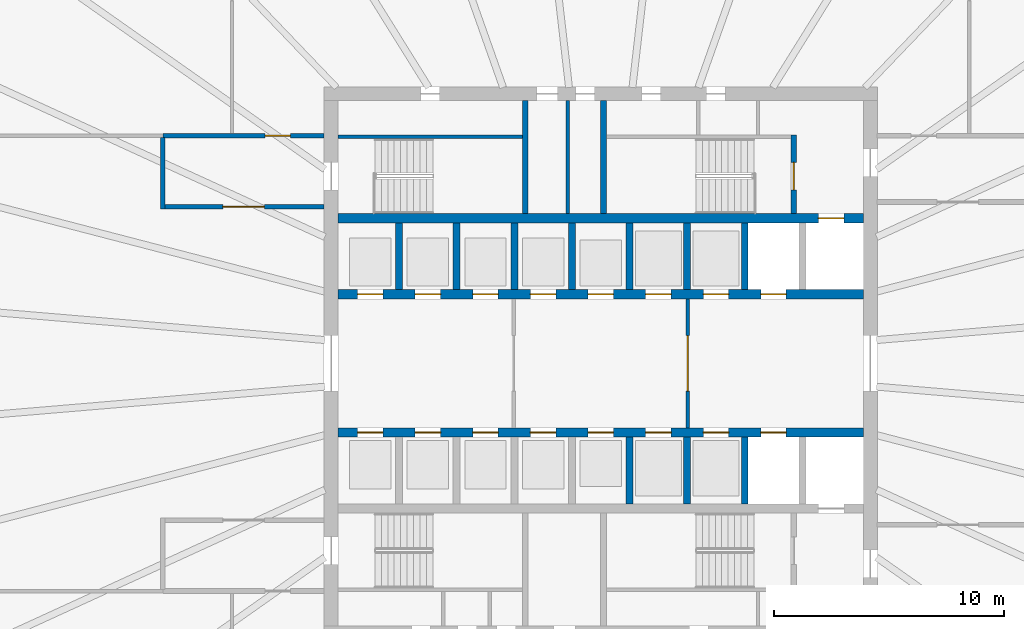
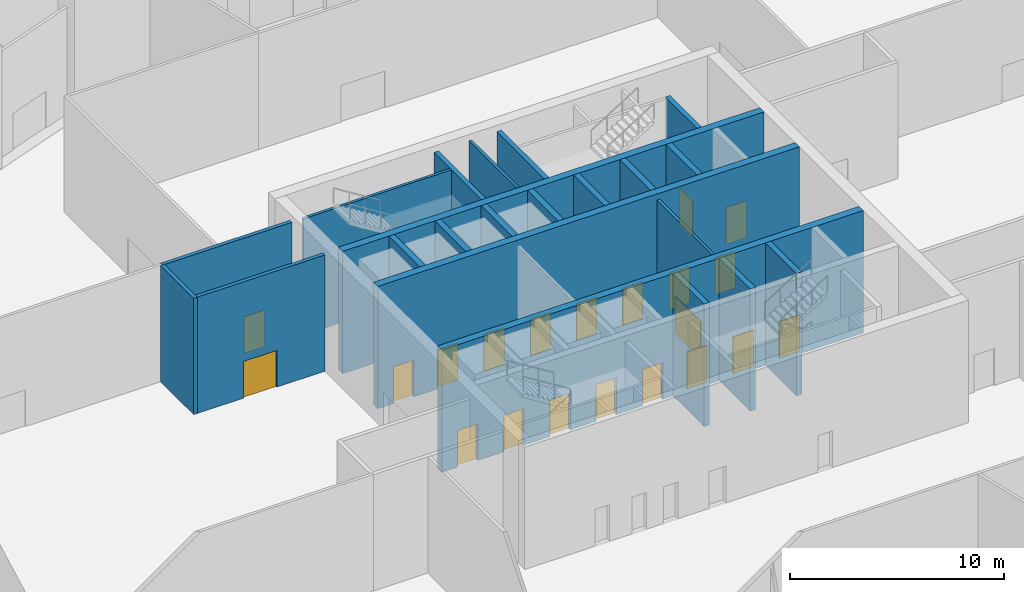
# One storey, part 22 of 33: 22 walls, 21 doors, 21 openings.
"""IFC4 building model written with IfcOpenShell, lengths in metres."""

from ifc_helpers import new_model, si_unit, direction, frame, frame_2d, origin, place, context, subcontext, project, spatial, rectangle, extrude, material, layer, layer_set, type_object, element, fill, save


model = new_model("IFC4")

# Units and contexts
model_context = context("Model", 3, precision=1e-05, world=origin(), true_north=direction((0.0, 1.0)))
body_context = subcontext(model_context, "Body", "Model", "MODEL_VIEW")
ifc_project = project(units=[si_unit("LENGTHUNIT", "METRE"), si_unit("AREAUNIT", "SQUARE_METRE"), si_unit("VOLUMEUNIT", "CUBIC_METRE"), si_unit("PLANEANGLEUNIT", "RADIAN"), si_unit("MASSUNIT", "GRAM", prefix="KILO")], contexts=[model_context])

# Site, building, storey
site_placement = place(None, origin())
site = spatial("IfcSite", under=ifc_project, at=site_placement, CompositionType="ELEMENT")
building_placement = place(site_placement, origin())
building = spatial("IfcBuilding", under=site, at=building_placement, Name="Halqa Exchange Tower", CompositionType="ELEMENT")
storey_placement = place(building_placement, origin())
storey = spatial("IfcBuildingStorey", under=building, at=storey_placement, Name="L00", CompositionType="ELEMENT", Elevation=0.0)

# Wall
ifc_material_1 = material(Name="Concrete C30/37", Category="concrete")
ifc_layer_1 = layer(ifc_material_1, 0.199951171875)
ifc_layer_set_1 = layer_set([ifc_layer_1], Name="Concrete C30/37")
wall_type_1 = type_object("IfcWallType", Name="Fire wall EI 120 200", PredefinedType="PARTITIONING", material=ifc_layer_set_1)
wall_1_placement = place(storey_placement, frame((-19.0, 6.699951171875, 0.0), z_axis=(0.0, 0.0, 1.0), x_axis=(0.0, 1.0, 0.0)))
element("IfcWall", 1, at=wall_1_placement, inside=storey, type_object=wall_type_1, Name="L00-PWL-036", PredefinedType="PARTITIONING", context=body_context, shape_type="SweptSolid", body=[
    extrude(rectangle(XDim=3.10546875, YDim=0.199951171875, at=frame_2d((1.552734375, 0.0))), origin(), (0.0, 0.0, 1.0), 6.64990234375),
])

# Wall, opening, door
wall_2_placement = place(storey_placement, frame((-19.0, 9.8798828125, 0.0), z_axis=(0.0, 0.0, 1.0), x_axis=(1.0, 0.0, 0.0)))
wall_2 = element("IfcWall", 2, at=wall_2_placement, inside=storey, type_object=wall_type_1, Name="L00-PWL-037", PredefinedType="PARTITIONING", context=body_context, shape_type="SweptSolid", body=[
    extrude(rectangle(XDim=7.0009765625, YDim=0.199951171875, at=frame_2d((3.50048828125, 0.0))), origin(), (0.0, 0.0, 1.0), 6.64990234375),
])
opening_1_placement = place(wall_2_placement, frame((4.43505859375, 0.0, 0.0)))
opening_1 = element("IfcOpeningElement", 3, at=opening_1_placement, cuts=wall_2, Name="Opening L00-15", PredefinedType="OPENING", context=body_context, shape_type="SweptSolid", body=[
    extrude(rectangle(XDim=1.10009765625, YDim=2.10009765625, at=frame_2d((0.550048828125, 1.050048828125))), frame((0.0, 0.112060546875, 0.0), z_axis=(0.0, -1.0, 0.0), x_axis=(1.0, 0.0, 0.0)), (0.0, 0.0, 1.0), 0.223876953125),
])
ifc_material_2 = material(Name="Steel fire door leaf", Category="steel")
door_type_1 = type_object("IfcDoorType", Name="Fire door FD120S 1100 x 2100", OperationType="SINGLE_SWING_LEFT", PredefinedType="DOOR", material=ifc_material_2)
door_1_placement = place(opening_1_placement, frame((1.10009765625, 0.0, 0.0), z_axis=(0.0, 0.0, 1.0), x_axis=(-1.0, 0.0, 0.0)))
door_1 = element("IfcDoor", 4, at=door_1_placement, inside=storey, type_object=door_type_1, Name="L00-IDR-015", OperationType="SINGLE_SWING_RIGHT", OverallHeight=2.10009765625, OverallWidth=1.10009765625, PredefinedType="DOOR", context=body_context, shape_type="SweptSolid", body=[
    extrude(rectangle(XDim=1.10009765625, YDim=2.10009765625, at=frame_2d((0.550048828125, 1.050048828125))), frame((0.0, 0.02490234375, 0.0), z_axis=(0.0, -1.0, 0.0), x_axis=(1.0, 0.0, 0.0)), (0.0, 0.0, 1.0), 0.050048828125),
])
fill(opening_1, door_1)

wall_3_placement = place(storey_placement, frame((-11.9990234375, 6.800048828125, 0.0), z_axis=(0.0, 0.0, 1.0), x_axis=(-1.0, 0.0, 0.0)))
wall_3 = element("IfcWall", 5, at=wall_3_placement, inside=storey, type_object=wall_type_1, Name="L00-PWL-048", PredefinedType="PARTITIONING", context=body_context, shape_type="SweptSolid", body=[
    extrude(rectangle(XDim=6.90185546875, YDim=0.199951171875, at=frame_2d((3.450927734375, 0.0))), origin(), (0.0, 0.0, 1.0), 6.64990234375),
])
opening_2_placement = place(wall_3_placement, frame((2.60107421875, 0.0, 0.0)))
opening_2 = element("IfcOpeningElement", 6, at=opening_2_placement, cuts=wall_3, Name="Opening L00-01", PredefinedType="OPENING", context=body_context, shape_type="SweptSolid", body=[
    extrude(rectangle(XDim=1.800048828125, YDim=2.10009765625, at=frame_2d((0.89990234375, 1.050048828125))), frame((0.0, 0.112060546875, 0.0), z_axis=(0.0, -1.0, 0.0), x_axis=(1.0, 0.0, 0.0)), (0.0, 0.0, 1.0), 0.223876953125),
])
door_type_2 = type_object("IfcDoorType", Name="Fire door FD120S double 1800 x 2100", OperationType="DOUBLE_DOOR_SINGLE_SWING", PredefinedType="DOOR", material=ifc_material_2)
door_2_placement = place(opening_2_placement, frame((1.800048828125, 0.0, 0.0), z_axis=(0.0, 0.0, 1.0), x_axis=(-1.0, 0.0, 0.0)))
door_2 = element("IfcDoor", 7, at=door_2_placement, inside=storey, type_object=door_type_2, Name="L00-IDR-001", OperationType="DOUBLE_DOOR_SINGLE_SWING", OverallHeight=2.10009765625, OverallWidth=1.800048828125, PredefinedType="DOOR", context=body_context, shape_type="SweptSolid", body=[
    extrude(rectangle(XDim=1.800048828125, YDim=2.10009765625, at=frame_2d((0.89990234375, 1.050048828125))), frame((0.0, 0.02490234375, 0.0), z_axis=(0.0, -1.0, 0.0), x_axis=(1.0, 0.0, 0.0)), (0.0, 0.0, 1.0), 0.050048828125),
])
fill(opening_2, door_2)

# Wall
ifc_material_3 = material(Name="Gypsum board")
ifc_layer_2 = layer(ifc_material_3, 0.14990234375)
ifc_layer_set_2 = layer_set([ifc_layer_2], Name="Gypsum board")
wall_type_2 = type_object("IfcWallType", Name="Penthouse riser wall 150 gypsum", PredefinedType="PARTITIONING", material=ifc_layer_set_2)
wall_4_placement = place(storey_placement, frame((-1.425048828125, 6.5, 0.0), z_axis=(0.0, 0.0, 1.0), x_axis=(0.0, 1.0, 0.0)))
element("IfcWall", 8, at=wall_4_placement, inside=storey, type_object=wall_type_2, Name="Partition W1.425 N", PredefinedType="PARTITIONING", context=body_context, shape_type="SweptSolid", body=[
    extrude(rectangle(XDim=4.89990234375, YDim=0.14990234375, at=frame_2d((2.449951171875, 0.0))), origin(), (0.0, 0.0, 1.0), 6.64990234375),
])

# Wall, opening, door
wall_5_placement = place(storey_placement, frame((3.77490234375, -2.800048828125, 0.0), z_axis=(0.0, 0.0, 1.0), x_axis=(0.0, 1.0, 0.0)))
wall_5 = element("IfcWall", 9, at=wall_5_placement, inside=storey, type_object=wall_type_2, Name="Observation lobby partition east", PredefinedType="PARTITIONING", context=body_context, shape_type="SweptSolid", body=[
    extrude(rectangle(XDim=5.60009765625, YDim=0.14990234375, at=frame_2d((2.800048828125, 0.0))), origin(), (0.0, 0.0, 1.0), 6.64990234375),
])
opening_3_placement = place(wall_5_placement, frame((1.60009765625, 0.0, 0.0)))
opening_3 = element("IfcOpeningElement", 10, at=opening_3_placement, cuts=wall_5, Name="Opening L00-C26", PredefinedType="OPENING", context=body_context, shape_type="SweptSolid", body=[
    extrude(rectangle(XDim=2.39990234375, YDim=2.10009765625, at=frame_2d((1.199951171875, 1.050048828125))), frame((0.0, 0.0869140625, 0.0), z_axis=(0.0, -1.0, 0.0), x_axis=(1.0, 0.0, 0.0)), (0.0, 0.0, 1.0), 0.173828125),
])
door_type_3 = type_object("IfcDoorType", Name="Lobby double door FD60 2400 x 2100", OperationType="DOUBLE_DOOR_SINGLE_SWING", PredefinedType="DOOR", material=ifc_material_2)
door_3_placement = place(opening_3_placement, origin())
door_3 = element("IfcDoor", 11, at=door_3_placement, inside=storey, type_object=door_type_3, Name="Lift lobby double door", OperationType="DOUBLE_DOOR_SINGLE_SWING", OverallHeight=2.10009765625, OverallWidth=2.39990234375, PredefinedType="DOOR", context=body_context, shape_type="SweptSolid", body=[
    extrude(rectangle(XDim=2.39990234375, YDim=2.10009765625, at=frame_2d((1.199951171875, 1.050048828125))), frame((0.0, 0.02490234375, 0.0), z_axis=(0.0, -1.0, 0.0), x_axis=(1.0, 0.0, 0.0)), (0.0, 0.0, 1.0), 0.050048828125),
])
fill(opening_3, door_3)

# Walls
ifc_material_4 = material(Name="Concrete C60/75", Category="concrete")
ifc_layer_3 = layer(ifc_material_4, 0.300048828125)
ifc_layer_set_3 = layer_set([ifc_layer_3], Name="Concrete C60/75")
wall_type_3 = type_object("IfcWallType", Name="RC core wall 300", PredefinedType="SHEAR", material=ifc_layer_set_3)
for number, where, z_axis, x_axis, name in (
    (12, (-8.75, 3.199951171875, 0.0), (0.0, 0.0, 1.0), (0.0, 1.0, 0.0), "Shaft divider N1"),
    (13, (-6.25, 3.199951171875, 0.0), (0.0, 0.0, 1.0), (0.0, 1.0, 0.0), "Shaft divider N2"),
    (14, (-3.75, 3.199951171875, 0.0), (0.0, 0.0, 1.0), (0.0, 1.0, 0.0), "Shaft divider N3"),
    (15, (-1.25, 3.199951171875, 0.0), (0.0, 0.0, 1.0), (0.0, 1.0, 0.0), "Shaft divider N4"),
    (16, (1.25, 3.199951171875, 0.0), (0.0, 0.0, 1.0), (0.0, 1.0, 0.0), "Shaft divider N5"),
    (17, (3.75, 3.199951171875, 0.0), (0.0, 0.0, 1.0), (0.0, 1.0, 0.0), "Shaft divider N6"),
    (18, (6.25, 3.199951171875, 0.0), (0.0, 0.0, 1.0), (0.0, 1.0, 0.0), "Shaft divider N7"),
    (19, (1.25, -6.10009765625, 0.0), (0.0, 0.0, 1.0), (0.0, 1.0, 0.0), "Shaft divider S5"),
    (20, (3.75, -6.10009765625, 0.0), (0.0, 0.0, 1.0), (0.0, 1.0, 0.0), "Shaft divider S6"),
    (21, (6.25, -6.10009765625, 0.0), (0.0, 0.0, 1.0), (0.0, 1.0, 0.0), "Shaft divider S7"),
):
    element("IfcWall", number, at=place(storey_placement, frame(where, z_axis=z_axis, x_axis=x_axis)), inside=storey, type_object=wall_type_3, Name=name, PredefinedType="SHEAR", context=body_context, shape_type="SweptSolid", body=[
        extrude(rectangle(XDim=2.900146484375, YDim=0.300048828125, at=frame_2d((1.4501953125, 0.0))), origin(), (0.0, 0.0, 1.0), 7.0),
    ])

# Wall, openings, doors
ifc_material_5 = material(Name="Concrete C80/95", Category="concrete")
ifc_layer_4 = layer(ifc_material_5, 0.39990234375)
ifc_layer_set_4 = layer_set([ifc_layer_4], Name="Concrete C80/95")
wall_type_4 = type_object("IfcWallType", Name="RC core wall 400 C80/95", PredefinedType="SHEAR", material=ifc_layer_set_4)
wall_6_placement = place(storey_placement, frame((-11.39990234375, 3.0, 0.0), z_axis=(0.0, 0.0, 1.0), x_axis=(1.0, 0.0, 0.0)))
wall_6 = element("IfcWall", 22, at=wall_6_placement, inside=storey, type_object=wall_type_4, Name="Lift row front wall N", PredefinedType="SHEAR", context=body_context, shape_type="SweptSolid", body=[
    extrude(rectangle(XDim=22.7998046875, YDim=0.39990234375, at=frame_2d((11.39990234375, 0.0))), origin(), (0.0, 0.0, 1.0), 7.0),
])
opening_4_placement = place(wall_6_placement, frame((0.85009765625, 0.0, 0.0)))
opening_4 = element("IfcOpeningElement", 23, at=opening_4_placement, cuts=wall_6, Name="Opening LD-LR1-L00", PredefinedType="OPENING", context=body_context, shape_type="SweptSolid", body=[
    extrude(rectangle(XDim=1.10009765625, YDim=2.10009765625, at=frame_2d((0.550048828125, 1.050048828125))), frame((0.0, 0.2119140625, 0.0), z_axis=(0.0, -1.0, 0.0), x_axis=(1.0, 0.0, 0.0)), (0.0, 0.0, 1.0), 0.423828125),
])
opening_5_placement = place(wall_6_placement, frame((3.35009765625, 0.0, 0.0)))
opening_5 = element("IfcOpeningElement", 24, at=opening_5_placement, cuts=wall_6, Name="Opening LD-LR2-L00", PredefinedType="OPENING", context=body_context, shape_type="SweptSolid", body=[
    extrude(rectangle(XDim=1.10009765625, YDim=2.10009765625, at=frame_2d((0.550048828125, 1.050048828125))), frame((0.0, 0.2119140625, 0.0), z_axis=(0.0, -1.0, 0.0), x_axis=(1.0, 0.0, 0.0)), (0.0, 0.0, 1.0), 0.423828125),
])
opening_6_placement = place(wall_6_placement, frame((5.85009765625, 0.0, 0.0)))
opening_6 = element("IfcOpeningElement", 25, at=opening_6_placement, cuts=wall_6, Name="Opening LD-LR3-L00", PredefinedType="OPENING", context=body_context, shape_type="SweptSolid", body=[
    extrude(rectangle(XDim=1.10009765625, YDim=2.10009765625, at=frame_2d((0.550048828125, 1.050048828125))), frame((0.0, 0.2119140625, 0.0), z_axis=(0.0, -1.0, 0.0), x_axis=(1.0, 0.0, 0.0)), (0.0, 0.0, 1.0), 0.423828125),
])
opening_7_placement = place(wall_6_placement, frame((8.35009765625, 0.0, 0.0)))
opening_7 = element("IfcOpeningElement", 26, at=opening_7_placement, cuts=wall_6, Name="Opening LD-LR4-L00", PredefinedType="OPENING", context=body_context, shape_type="SweptSolid", body=[
    extrude(rectangle(XDim=1.10009765625, YDim=2.10009765625, at=frame_2d((0.550048828125, 1.050048828125))), frame((0.0, 0.2119140625, 0.0), z_axis=(0.0, -1.0, 0.0), x_axis=(1.0, 0.0, 0.0)), (0.0, 0.0, 1.0), 0.423828125),
])
opening_8_placement = place(wall_6_placement, frame((10.85009765625, 0.0, 0.0)))
opening_8 = element("IfcOpeningElement", 27, at=opening_8_placement, cuts=wall_6, Name="Opening LD-OB1-L00", PredefinedType="OPENING", context=body_context, shape_type="SweptSolid", body=[
    extrude(rectangle(XDim=1.10009765625, YDim=2.10009765625, at=frame_2d((0.550048828125, 1.050048828125))), frame((0.0, 0.2119140625, 0.0), z_axis=(0.0, -1.0, 0.0), x_axis=(1.0, 0.0, 0.0)), (0.0, 0.0, 1.0), 0.423828125),
])
opening_9_placement = place(wall_6_placement, frame((13.35009765625, 0.0, 0.0)))
opening_9 = element("IfcOpeningElement", 28, at=opening_9_placement, cuts=wall_6, Name="Opening LD-SH1-L00", PredefinedType="OPENING", context=body_context, shape_type="SweptSolid", body=[
    extrude(rectangle(XDim=1.10009765625, YDim=2.10009765625, at=frame_2d((0.550048828125, 1.050048828125))), frame((0.0, 0.2119140625, 0.0), z_axis=(0.0, -1.0, 0.0), x_axis=(1.0, 0.0, 0.0)), (0.0, 0.0, 1.0), 0.423828125),
])
opening_10_placement = place(wall_6_placement, frame((15.85009765625, 0.0, 0.0)))
opening_10 = element("IfcOpeningElement", 29, at=opening_10_placement, cuts=wall_6, Name="Opening LD-SH2-L00", PredefinedType="OPENING", context=body_context, shape_type="SweptSolid", body=[
    extrude(rectangle(XDim=1.10009765625, YDim=2.10009765625, at=frame_2d((0.550048828125, 1.050048828125))), frame((0.0, 0.2119140625, 0.0), z_axis=(0.0, -1.0, 0.0), x_axis=(1.0, 0.0, 0.0)), (0.0, 0.0, 1.0), 0.423828125),
])
opening_11_placement = place(wall_6_placement, frame((18.35009765625, 0.0, 0.0)))
opening_11 = element("IfcOpeningElement", 30, at=opening_11_placement, cuts=wall_6, Name="Opening LD-SV1-L00", PredefinedType="OPENING", context=body_context, shape_type="SweptSolid", body=[
    extrude(rectangle(XDim=1.10009765625, YDim=2.10009765625, at=frame_2d((0.550048828125, 1.050048828125))), frame((0.0, 0.2119140625, 0.0), z_axis=(0.0, -1.0, 0.0), x_axis=(1.0, 0.0, 0.0)), (0.0, 0.0, 1.0), 0.423828125),
])
ifc_material_6 = material(Name="Stainless steel", Category="steel")
door_type_4 = type_object("IfcDoorType", Name="Lift landing door 1100 x 2100", OperationType="SLIDING_TO_LEFT", PredefinedType="DOOR", material=ifc_material_6)
door_4_placement = place(opening_4_placement, origin())
door_4 = element("IfcDoor", 31, at=door_4_placement, inside=storey, type_object=door_type_4, Name="Lift landing door LR1", OperationType="SLIDING_TO_LEFT", OverallHeight=2.10009765625, OverallWidth=1.10009765625, PredefinedType="DOOR", context=body_context, shape_type="SweptSolid", body=[
    extrude(rectangle(XDim=1.10009765625, YDim=2.10009765625, at=frame_2d((0.550048828125, 1.050048828125))), frame((0.0, 0.02490234375, 0.0), z_axis=(0.0, -1.0, 0.0), x_axis=(1.0, 0.0, 0.0)), (0.0, 0.0, 1.0), 0.050048828125),
])
fill(opening_4, door_4)
door_5_placement = place(opening_5_placement, origin())
door_5 = element("IfcDoor", 32, at=door_5_placement, inside=storey, type_object=door_type_4, Name="Lift landing door LR2", OperationType="SLIDING_TO_LEFT", OverallHeight=2.10009765625, OverallWidth=1.10009765625, PredefinedType="DOOR", context=body_context, shape_type="SweptSolid", body=[
    extrude(rectangle(XDim=1.10009765625, YDim=2.10009765625, at=frame_2d((0.550048828125, 1.050048828125))), frame((0.0, 0.02490234375, 0.0), z_axis=(0.0, -1.0, 0.0), x_axis=(1.0, 0.0, 0.0)), (0.0, 0.0, 1.0), 0.050048828125),
])
fill(opening_5, door_5)
door_6_placement = place(opening_6_placement, origin())
door_6 = element("IfcDoor", 33, at=door_6_placement, inside=storey, type_object=door_type_4, Name="Lift landing door LR3", OperationType="SLIDING_TO_LEFT", OverallHeight=2.10009765625, OverallWidth=1.10009765625, PredefinedType="DOOR", context=body_context, shape_type="SweptSolid", body=[
    extrude(rectangle(XDim=1.10009765625, YDim=2.10009765625, at=frame_2d((0.550048828125, 1.050048828125))), frame((0.0, 0.02490234375, 0.0), z_axis=(0.0, -1.0, 0.0), x_axis=(1.0, 0.0, 0.0)), (0.0, 0.0, 1.0), 0.050048828125),
])
fill(opening_6, door_6)
door_7_placement = place(opening_7_placement, origin())
door_7 = element("IfcDoor", 34, at=door_7_placement, inside=storey, type_object=door_type_4, Name="Lift landing door LR4", OperationType="SLIDING_TO_LEFT", OverallHeight=2.10009765625, OverallWidth=1.10009765625, PredefinedType="DOOR", context=body_context, shape_type="SweptSolid", body=[
    extrude(rectangle(XDim=1.10009765625, YDim=2.10009765625, at=frame_2d((0.550048828125, 1.050048828125))), frame((0.0, 0.02490234375, 0.0), z_axis=(0.0, -1.0, 0.0), x_axis=(1.0, 0.0, 0.0)), (0.0, 0.0, 1.0), 0.050048828125),
])
fill(opening_7, door_7)
door_8_placement = place(opening_8_placement, origin())
door_8 = element("IfcDoor", 35, at=door_8_placement, inside=storey, type_object=door_type_4, Name="Lift landing door OB1", OperationType="SLIDING_TO_LEFT", OverallHeight=2.10009765625, OverallWidth=1.10009765625, PredefinedType="DOOR", context=body_context, shape_type="SweptSolid", body=[
    extrude(rectangle(XDim=1.10009765625, YDim=2.10009765625, at=frame_2d((0.550048828125, 1.050048828125))), frame((0.0, 0.02490234375, 0.0), z_axis=(0.0, -1.0, 0.0), x_axis=(1.0, 0.0, 0.0)), (0.0, 0.0, 1.0), 0.050048828125),
])
fill(opening_8, door_8)
door_9_placement = place(opening_9_placement, origin())
door_9 = element("IfcDoor", 36, at=door_9_placement, inside=storey, type_object=door_type_4, Name="Lift landing door SH1", OperationType="SLIDING_TO_LEFT", OverallHeight=2.10009765625, OverallWidth=1.10009765625, PredefinedType="DOOR", context=body_context, shape_type="SweptSolid", body=[
    extrude(rectangle(XDim=1.10009765625, YDim=2.10009765625, at=frame_2d((0.550048828125, 1.050048828125))), frame((0.0, 0.02490234375, 0.0), z_axis=(0.0, -1.0, 0.0), x_axis=(1.0, 0.0, 0.0)), (0.0, 0.0, 1.0), 0.050048828125),
])
fill(opening_9, door_9)
door_10_placement = place(opening_10_placement, origin())
door_10 = element("IfcDoor", 37, at=door_10_placement, inside=storey, type_object=door_type_4, Name="Lift landing door SH2", OperationType="SLIDING_TO_LEFT", OverallHeight=2.10009765625, OverallWidth=1.10009765625, PredefinedType="DOOR", context=body_context, shape_type="SweptSolid", body=[
    extrude(rectangle(XDim=1.10009765625, YDim=2.10009765625, at=frame_2d((0.550048828125, 1.050048828125))), frame((0.0, 0.02490234375, 0.0), z_axis=(0.0, -1.0, 0.0), x_axis=(1.0, 0.0, 0.0)), (0.0, 0.0, 1.0), 0.050048828125),
])
fill(opening_10, door_10)
door_11_placement = place(opening_11_placement, origin())
door_11 = element("IfcDoor", 38, at=door_11_placement, inside=storey, type_object=door_type_4, Name="Lift landing door SV1", OperationType="SLIDING_TO_LEFT", OverallHeight=2.10009765625, OverallWidth=1.10009765625, PredefinedType="DOOR", context=body_context, shape_type="SweptSolid", body=[
    extrude(rectangle(XDim=1.10009765625, YDim=2.10009765625, at=frame_2d((0.550048828125, 1.050048828125))), frame((0.0, 0.02490234375, 0.0), z_axis=(0.0, -1.0, 0.0), x_axis=(1.0, 0.0, 0.0)), (0.0, 0.0, 1.0), 0.050048828125),
])
fill(opening_11, door_11)

# Wall, opening, door
wall_7_placement = place(storey_placement, frame((-11.39990234375, 6.300048828125, 0.0), z_axis=(0.0, 0.0, 1.0), x_axis=(1.0, 0.0, 0.0)))
wall_7 = element("IfcWall", 39, at=wall_7_placement, inside=storey, type_object=wall_type_4, Name="Lift row back wall N", PredefinedType="SHEAR", context=body_context, shape_type="SweptSolid", body=[
    extrude(rectangle(XDim=22.7998046875, YDim=0.39990234375, at=frame_2d((11.39990234375, 0.0))), origin(), (0.0, 0.0, 1.0), 7.0),
])
opening_12_placement = place(wall_7_placement, frame((20.85009765625, 0.0, 0.0)))
opening_12 = element("IfcOpeningElement", 40, at=opening_12_placement, cuts=wall_7, Name="Opening LD-FF1-L00", PredefinedType="OPENING", context=body_context, shape_type="SweptSolid", body=[
    extrude(rectangle(XDim=1.10009765625, YDim=2.10009765625, at=frame_2d((0.550048828125, 1.050048828125))), frame((0.0, 0.2119140625, 0.0), z_axis=(0.0, -1.0, 0.0), x_axis=(1.0, 0.0, 0.0)), (0.0, 0.0, 1.0), 0.423828125),
])
door_12_placement = place(opening_12_placement, origin())
door_12 = element("IfcDoor", 41, at=door_12_placement, inside=storey, type_object=door_type_4, Name="Lift landing door FF1", OperationType="SLIDING_TO_LEFT", OverallHeight=2.10009765625, OverallWidth=1.10009765625, PredefinedType="DOOR", context=body_context, shape_type="SweptSolid", body=[
    extrude(rectangle(XDim=1.10009765625, YDim=2.10009765625, at=frame_2d((0.550048828125, 1.050048828125))), frame((0.0, 0.02490234375, 0.0), z_axis=(0.0, -1.0, 0.0), x_axis=(1.0, 0.0, 0.0)), (0.0, 0.0, 1.0), 0.050048828125),
])
fill(opening_12, door_12)

# Wall, openings, doors
wall_8_placement = place(storey_placement, frame((-11.39990234375, -3.0, 0.0), z_axis=(0.0, 0.0, 1.0), x_axis=(1.0, 0.0, 0.0)))
wall_8 = element("IfcWall", 42, at=wall_8_placement, inside=storey, type_object=wall_type_4, Name="Lift row front wall S", PredefinedType="SHEAR", context=body_context, shape_type="SweptSolid", body=[
    extrude(rectangle(XDim=22.7998046875, YDim=0.39990234375, at=frame_2d((11.39990234375, 0.0))), origin(), (0.0, 0.0, 1.0), 7.0),
])
opening_13_placement = place(wall_8_placement, frame((0.85009765625, 0.0, 0.0)))
opening_13 = element("IfcOpeningElement", 43, at=opening_13_placement, cuts=wall_8, Name="Opening LD-LR5-L00", PredefinedType="OPENING", context=body_context, shape_type="SweptSolid", body=[
    extrude(rectangle(XDim=1.10009765625, YDim=2.10009765625, at=frame_2d((0.550048828125, 1.050048828125))), frame((0.0, 0.2119140625, 0.0), z_axis=(0.0, -1.0, 0.0), x_axis=(1.0, 0.0, 0.0)), (0.0, 0.0, 1.0), 0.423828125),
])
opening_14_placement = place(wall_8_placement, frame((3.35009765625, 0.0, 0.0)))
opening_14 = element("IfcOpeningElement", 44, at=opening_14_placement, cuts=wall_8, Name="Opening LD-LR6-L00", PredefinedType="OPENING", context=body_context, shape_type="SweptSolid", body=[
    extrude(rectangle(XDim=1.10009765625, YDim=2.10009765625, at=frame_2d((0.550048828125, 1.050048828125))), frame((0.0, 0.2119140625, 0.0), z_axis=(0.0, -1.0, 0.0), x_axis=(1.0, 0.0, 0.0)), (0.0, 0.0, 1.0), 0.423828125),
])
opening_15_placement = place(wall_8_placement, frame((5.85009765625, 0.0, 0.0)))
opening_15 = element("IfcOpeningElement", 45, at=opening_15_placement, cuts=wall_8, Name="Opening LD-LR7-L00", PredefinedType="OPENING", context=body_context, shape_type="SweptSolid", body=[
    extrude(rectangle(XDim=1.10009765625, YDim=2.10009765625, at=frame_2d((0.550048828125, 1.050048828125))), frame((0.0, 0.2119140625, 0.0), z_axis=(0.0, -1.0, 0.0), x_axis=(1.0, 0.0, 0.0)), (0.0, 0.0, 1.0), 0.423828125),
])
opening_16_placement = place(wall_8_placement, frame((8.35009765625, 0.0, 0.0)))
opening_16 = element("IfcOpeningElement", 46, at=opening_16_placement, cuts=wall_8, Name="Opening LD-LR8-L00", PredefinedType="OPENING", context=body_context, shape_type="SweptSolid", body=[
    extrude(rectangle(XDim=1.10009765625, YDim=2.10009765625, at=frame_2d((0.550048828125, 1.050048828125))), frame((0.0, 0.2119140625, 0.0), z_axis=(0.0, -1.0, 0.0), x_axis=(1.0, 0.0, 0.0)), (0.0, 0.0, 1.0), 0.423828125),
])
opening_17_placement = place(wall_8_placement, frame((10.85009765625, 0.0, 0.0)))
opening_17 = element("IfcOpeningElement", 47, at=opening_17_placement, cuts=wall_8, Name="Opening LD-OB2-L00", PredefinedType="OPENING", context=body_context, shape_type="SweptSolid", body=[
    extrude(rectangle(XDim=1.10009765625, YDim=2.10009765625, at=frame_2d((0.550048828125, 1.050048828125))), frame((0.0, 0.2119140625, 0.0), z_axis=(0.0, -1.0, 0.0), x_axis=(1.0, 0.0, 0.0)), (0.0, 0.0, 1.0), 0.423828125),
])
opening_18_placement = place(wall_8_placement, frame((13.35009765625, 0.0, 0.0)))
opening_18 = element("IfcOpeningElement", 48, at=opening_18_placement, cuts=wall_8, Name="Opening LD-SH3-L00", PredefinedType="OPENING", context=body_context, shape_type="SweptSolid", body=[
    extrude(rectangle(XDim=1.10009765625, YDim=2.10009765625, at=frame_2d((0.550048828125, 1.050048828125))), frame((0.0, 0.2119140625, 0.0), z_axis=(0.0, -1.0, 0.0), x_axis=(1.0, 0.0, 0.0)), (0.0, 0.0, 1.0), 0.423828125),
])
opening_19_placement = place(wall_8_placement, frame((15.85009765625, 0.0, 0.0)))
opening_19 = element("IfcOpeningElement", 49, at=opening_19_placement, cuts=wall_8, Name="Opening LD-SH4-L00", PredefinedType="OPENING", context=body_context, shape_type="SweptSolid", body=[
    extrude(rectangle(XDim=1.10009765625, YDim=2.10009765625, at=frame_2d((0.550048828125, 1.050048828125))), frame((0.0, 0.2119140625, 0.0), z_axis=(0.0, -1.0, 0.0), x_axis=(1.0, 0.0, 0.0)), (0.0, 0.0, 1.0), 0.423828125),
])
opening_20_placement = place(wall_8_placement, frame((18.35009765625, 0.0, 0.0)))
opening_20 = element("IfcOpeningElement", 50, at=opening_20_placement, cuts=wall_8, Name="Opening LD-SV2-L00", PredefinedType="OPENING", context=body_context, shape_type="SweptSolid", body=[
    extrude(rectangle(XDim=1.10009765625, YDim=2.10009765625, at=frame_2d((0.550048828125, 1.050048828125))), frame((0.0, 0.2119140625, 0.0), z_axis=(0.0, -1.0, 0.0), x_axis=(1.0, 0.0, 0.0)), (0.0, 0.0, 1.0), 0.423828125),
])
door_13_placement = place(opening_13_placement, origin())
door_13 = element("IfcDoor", 51, at=door_13_placement, inside=storey, type_object=door_type_4, Name="Lift landing door LR5", OperationType="SLIDING_TO_LEFT", OverallHeight=2.10009765625, OverallWidth=1.10009765625, PredefinedType="DOOR", context=body_context, shape_type="SweptSolid", body=[
    extrude(rectangle(XDim=1.10009765625, YDim=2.10009765625, at=frame_2d((0.550048828125, 1.050048828125))), frame((0.0, 0.02490234375, 0.0), z_axis=(0.0, -1.0, 0.0), x_axis=(1.0, 0.0, 0.0)), (0.0, 0.0, 1.0), 0.050048828125),
])
fill(opening_13, door_13)
door_14_placement = place(opening_14_placement, origin())
door_14 = element("IfcDoor", 52, at=door_14_placement, inside=storey, type_object=door_type_4, Name="Lift landing door LR6", OperationType="SLIDING_TO_LEFT", OverallHeight=2.10009765625, OverallWidth=1.10009765625, PredefinedType="DOOR", context=body_context, shape_type="SweptSolid", body=[
    extrude(rectangle(XDim=1.10009765625, YDim=2.10009765625, at=frame_2d((0.550048828125, 1.050048828125))), frame((0.0, 0.02490234375, 0.0), z_axis=(0.0, -1.0, 0.0), x_axis=(1.0, 0.0, 0.0)), (0.0, 0.0, 1.0), 0.050048828125),
])
fill(opening_14, door_14)
door_15_placement = place(opening_15_placement, origin())
door_15 = element("IfcDoor", 53, at=door_15_placement, inside=storey, type_object=door_type_4, Name="Lift landing door LR7", OperationType="SLIDING_TO_LEFT", OverallHeight=2.10009765625, OverallWidth=1.10009765625, PredefinedType="DOOR", context=body_context, shape_type="SweptSolid", body=[
    extrude(rectangle(XDim=1.10009765625, YDim=2.10009765625, at=frame_2d((0.550048828125, 1.050048828125))), frame((0.0, 0.02490234375, 0.0), z_axis=(0.0, -1.0, 0.0), x_axis=(1.0, 0.0, 0.0)), (0.0, 0.0, 1.0), 0.050048828125),
])
fill(opening_15, door_15)
door_16_placement = place(opening_16_placement, origin())
door_16 = element("IfcDoor", 54, at=door_16_placement, inside=storey, type_object=door_type_4, Name="Lift landing door LR8", OperationType="SLIDING_TO_LEFT", OverallHeight=2.10009765625, OverallWidth=1.10009765625, PredefinedType="DOOR", context=body_context, shape_type="SweptSolid", body=[
    extrude(rectangle(XDim=1.10009765625, YDim=2.10009765625, at=frame_2d((0.550048828125, 1.050048828125))), frame((0.0, 0.02490234375, 0.0), z_axis=(0.0, -1.0, 0.0), x_axis=(1.0, 0.0, 0.0)), (0.0, 0.0, 1.0), 0.050048828125),
])
fill(opening_16, door_16)
door_17_placement = place(opening_17_placement, origin())
door_17 = element("IfcDoor", 55, at=door_17_placement, inside=storey, type_object=door_type_4, Name="Lift landing door OB2", OperationType="SLIDING_TO_LEFT", OverallHeight=2.10009765625, OverallWidth=1.10009765625, PredefinedType="DOOR", context=body_context, shape_type="SweptSolid", body=[
    extrude(rectangle(XDim=1.10009765625, YDim=2.10009765625, at=frame_2d((0.550048828125, 1.050048828125))), frame((0.0, 0.02490234375, 0.0), z_axis=(0.0, -1.0, 0.0), x_axis=(1.0, 0.0, 0.0)), (0.0, 0.0, 1.0), 0.050048828125),
])
fill(opening_17, door_17)
door_18_placement = place(opening_18_placement, origin())
door_18 = element("IfcDoor", 56, at=door_18_placement, inside=storey, type_object=door_type_4, Name="Lift landing door SH3", OperationType="SLIDING_TO_LEFT", OverallHeight=2.10009765625, OverallWidth=1.10009765625, PredefinedType="DOOR", context=body_context, shape_type="SweptSolid", body=[
    extrude(rectangle(XDim=1.10009765625, YDim=2.10009765625, at=frame_2d((0.550048828125, 1.050048828125))), frame((0.0, 0.02490234375, 0.0), z_axis=(0.0, -1.0, 0.0), x_axis=(1.0, 0.0, 0.0)), (0.0, 0.0, 1.0), 0.050048828125),
])
fill(opening_18, door_18)
door_19_placement = place(opening_19_placement, origin())
door_19 = element("IfcDoor", 57, at=door_19_placement, inside=storey, type_object=door_type_4, Name="Lift landing door SH4", OperationType="SLIDING_TO_LEFT", OverallHeight=2.10009765625, OverallWidth=1.10009765625, PredefinedType="DOOR", context=body_context, shape_type="SweptSolid", body=[
    extrude(rectangle(XDim=1.10009765625, YDim=2.10009765625, at=frame_2d((0.550048828125, 1.050048828125))), frame((0.0, 0.02490234375, 0.0), z_axis=(0.0, -1.0, 0.0), x_axis=(1.0, 0.0, 0.0)), (0.0, 0.0, 1.0), 0.050048828125),
])
fill(opening_19, door_19)
door_20_placement = place(opening_20_placement, origin())
door_20 = element("IfcDoor", 58, at=door_20_placement, inside=storey, type_object=door_type_4, Name="Lift landing door SV2", OperationType="SLIDING_TO_LEFT", OverallHeight=2.10009765625, OverallWidth=1.10009765625, PredefinedType="DOOR", context=body_context, shape_type="SweptSolid", body=[
    extrude(rectangle(XDim=1.10009765625, YDim=2.10009765625, at=frame_2d((0.550048828125, 1.050048828125))), frame((0.0, 0.02490234375, 0.0), z_axis=(0.0, -1.0, 0.0), x_axis=(1.0, 0.0, 0.0)), (0.0, 0.0, 1.0), 0.050048828125),
])
fill(opening_20, door_20)

# Walls
ifc_layer_5 = layer(ifc_material_1, 0.14990234375)
ifc_layer_set_5 = layer_set([ifc_layer_5], Name="Concrete C30/37")
wall_type_5 = type_object("IfcWallType", Name="RC stair wall 150 C30/37", PredefinedType="SHEAR", material=ifc_layer_set_5)
wall_9_placement = place(storey_placement, frame((-11.39990234375, 9.824951171875, 0.0), z_axis=(0.0, 0.0, 1.0), x_axis=(1.0, 0.0, 0.0)))
element("IfcWall", 59, at=wall_9_placement, inside=storey, type_object=wall_type_5, Name="Stair ST1 north wall N", PredefinedType="SHEAR", context=body_context, shape_type="SweptSolid", body=[
    extrude(rectangle(XDim=8.0, YDim=0.14990234375, at=frame_2d((4.0, 0.0))), origin(), (0.0, 0.0, 1.0), 6.64990234375),
])
ifc_layer_6 = layer(ifc_material_1, 0.25)
ifc_layer_set_6 = layer_set([ifc_layer_6], Name="Concrete C30/37")
wall_type_6 = type_object("IfcWallType", Name="RC stair wall 250 C30/37", PredefinedType="SHEAR", material=ifc_layer_set_6)
for number, where, z_axis, x_axis, name in (
    (60, (-3.27490234375, 6.5, 0.0), (0.0, 0.0, 1.0), (0.0, 1.0, 0.0), "Stair ST1 east wall N"),
    (61, (0.125, 6.5, 0.0), (0.0, 0.0, 1.0), (0.0, 1.0, 0.0), "Stair ST2 west wall N"),
):
    element("IfcWall", number, at=place(storey_placement, frame(where, z_axis=z_axis, x_axis=x_axis)), inside=storey, type_object=wall_type_6, Name=name, PredefinedType="SHEAR", context=body_context, shape_type="SweptSolid", body=[
        extrude(rectangle(XDim=4.89990234375, YDim=0.25, at=frame_2d((2.449951171875, 0.0))), origin(), (0.0, 0.0, 1.0), 6.64990234375),
    ])

# Wall, opening, door
wall_10_placement = place(storey_placement, frame((8.375, 6.5, 0.0), z_axis=(0.0, 0.0, 1.0), x_axis=(0.0, 1.0, 0.0)))
wall_10 = element("IfcWall", 62, at=wall_10_placement, inside=storey, type_object=wall_type_6, Name="Stair ST2 east wall N", PredefinedType="SHEAR", context=body_context, shape_type="SweptSolid", body=[
    extrude(rectangle(XDim=3.39990234375, YDim=0.25, at=frame_2d((1.699951171875, 0.0))), origin(), (0.0, 0.0, 1.0), 6.64990234375),
])
opening_21_placement = place(wall_10_placement, frame((1.02490234375, 0.0, 0.0)))
opening_21 = element("IfcOpeningElement", 63, at=opening_21_placement, cuts=wall_10, Name="Opening L00-C36", PredefinedType="OPENING", context=body_context, shape_type="SweptSolid", body=[
    extrude(rectangle(XDim=1.199951171875, YDim=2.10009765625, at=frame_2d((0.60009765625, 1.050048828125))), frame((0.0, 0.136962890625, 0.0), z_axis=(0.0, -1.0, 0.0), x_axis=(1.0, 0.0, 0.0)), (0.0, 0.0, 1.0), 0.27392578125),
])
door_type_5 = type_object("IfcDoorType", Name="Stair door FD90 1200 x 2100", OperationType="SINGLE_SWING_LEFT", PredefinedType="DOOR", material=ifc_material_2)
door_21_placement = place(opening_21_placement, origin())
door_21 = element("IfcDoor", 64, at=door_21_placement, inside=storey, type_object=door_type_5, Name="Stair door ST2", OperationType="SINGLE_SWING_LEFT", OverallHeight=2.10009765625, OverallWidth=1.199951171875, PredefinedType="DOOR", context=body_context, shape_type="SweptSolid", body=[
    extrude(rectangle(XDim=1.199951171875, YDim=2.10009765625, at=frame_2d((0.60009765625, 1.050048828125))), frame((0.0, 0.02490234375, 0.0), z_axis=(0.0, -1.0, 0.0), x_axis=(1.0, 0.0, 0.0)), (0.0, 0.0, 1.0), 0.050048828125),
])
fill(opening_21, door_21)

save(model, "model.ifc")
